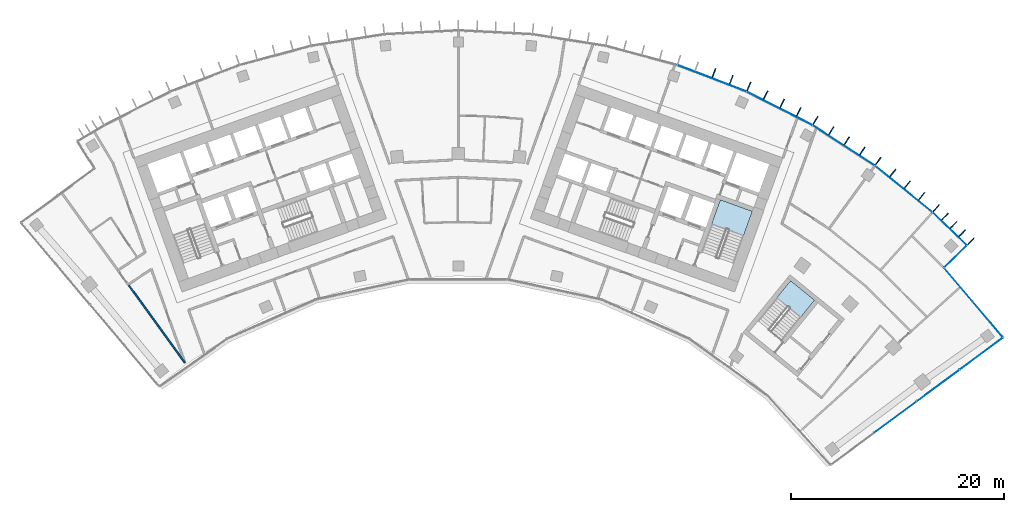
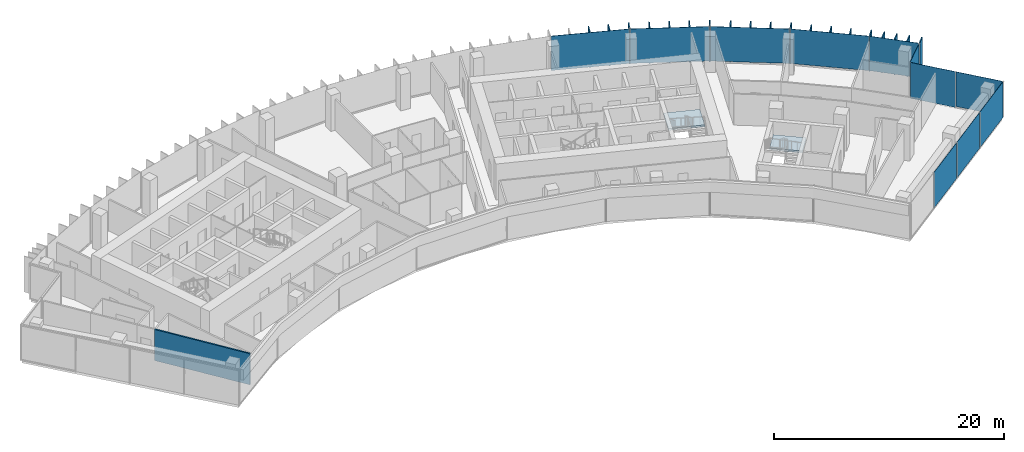
# One storey, part 11 of 19: 30 plates, 2 slabs, 1 wall, 6 elements without a shape of their own.
"""IFC4 building model written with IfcOpenShell, lengths in metres."""

from ifc_helpers import new_model, si_unit, direction, frame, frame_2d, origin, origin_2d, place, context, subcontext, project, spatial, polyline, rectangle, outline, extrude, material, layer, layer_set, type_object, element, aggregate, save


model = new_model("IFC4")

# Units and contexts
model_context = context("Model", 3, precision=1e-05, world=origin(), true_north=direction((0.0, 1.0)))
body_context = subcontext(model_context, "Body", "Model", "MODEL_VIEW")
ifc_project = project(units=[si_unit("LENGTHUNIT", "METRE"), si_unit("AREAUNIT", "SQUARE_METRE"), si_unit("VOLUMEUNIT", "CUBIC_METRE"), si_unit("PLANEANGLEUNIT", "RADIAN"), si_unit("MASSUNIT", "GRAM", prefix="KILO")], contexts=[model_context])

# Site, building, storey
site_placement = place(None, origin())
site = spatial("IfcSite", under=ifc_project, at=site_placement, CompositionType="ELEMENT")
building_placement = place(site_placement, origin())
building = spatial("IfcBuilding", under=site, at=building_placement, Name="Stone Belt Terrace Tower", CompositionType="ELEMENT")
storey_placement = place(building_placement, frame((0.0, 0.0, 246.60009765625)))
storey = spatial("IfcBuildingStorey", under=building, at=storey_placement, Name="L60", CompositionType="ELEMENT", Elevation=246.60009765625)

# Curtain wall, plates
ifc_material_1 = material(Name="Aluminium 6063-T6 anodised frame", Category="aluminium")
ifc_layer_1 = layer(ifc_material_1, 0.14990234375)
ifc_layer_set_1 = layer_set([ifc_layer_1], Name="CW-A unitised convex-face curtain wall")
curtain_wall_type_1 = type_object("IfcCurtainWallType", Name="CW-A unitised convex-face curtain wall", PredefinedType="NOTDEFINED", material=ifc_layer_set_1)
curtain_wall_1_placement = place(storey_placement, origin())
curtain_wall_1 = element("IfcCurtainWall", 1, at=curtain_wall_1_placement, inside=storey, type_object=curtain_wall_type_1, Name="CW-A convex face L60", PredefinedType="NOTDEFINED")
ifc_material_2 = material(Name="Clear double glazed unit")
ifc_layer_2 = layer(ifc_material_2, 0.031982421875)
ifc_layer_set_2 = layer_set([ifc_layer_2], Name="CW-A glass panel 32")
plate_type_1 = type_object("IfcPlateType", Name="CW-A glass panel 32", PredefinedType="CURTAIN_PANEL", material=ifc_layer_set_2)
plate_1_placement = place(storey_placement, frame((46.14599609375, 47.936767578125, 0.14013671875), z_axis=(0.0, 0.0, 1.0), x_axis=(-0.720604393579, 0.693346455933, 0.0)))
plate_1 = element("IfcPlate", 2, at=plate_1_placement, type_object=plate_type_1, Name="CW-A panel 1.1", PredefinedType="CURTAIN_PANEL", context=body_context, shape_type="SweptSolid", body=[
    extrude(rectangle(XDim=4.372314453125, YDim=0.031982421875, at=origin_2d()), origin(), (0.0, 0.0, 1.0), 3.659912109375),
])
plate_2_placement = place(storey_placement, frame((41.839599609375, 51.667724609375, 0.14013671875), z_axis=(0.0, 0.0, 1.0), x_axis=(-0.777145961457, 0.62932039105, 0.0)))
plate_2 = element("IfcPlate", 3, at=plate_2_placement, type_object=plate_type_1, Name="CW-A panel 2.1", PredefinedType="CURTAIN_PANEL", context=body_context, shape_type="SweptSolid", body=[
    extrude(rectangle(XDim=6.90087890625, YDim=0.031982421875, at=origin_2d()), origin(), (0.0, 0.0, 1.0), 3.659912109375),
])
plate_3_placement = place(storey_placement, frame((36.209716796875, 55.758056640625, 0.14013671875), z_axis=(0.0, 0.0, 1.0), x_axis=(-0.838670567945, 0.544639035015, 0.0)))
plate_3 = element("IfcPlate", 4, at=plate_3_placement, type_object=plate_type_1, Name="CW-A panel 3.1", PredefinedType="CURTAIN_PANEL", context=body_context, shape_type="SweptSolid", body=[
    extrude(rectangle(XDim=6.90087890625, YDim=0.031982421875, at=origin_2d()), origin(), (0.0, 0.0, 1.0), 3.659912109375),
])
plate_4_placement = place(storey_placement, frame((30.18310546875, 59.237548828125, 0.14013671875), z_axis=(0.0, 0.0, 1.0), x_axis=(-0.891006524188, 0.45399049974, 0.0)))
plate_4 = element("IfcPlate", 5, at=plate_4_placement, type_object=plate_type_1, Name="CW-A panel 4.1", PredefinedType="CURTAIN_PANEL", context=body_context, shape_type="SweptSolid", body=[
    extrude(rectangle(XDim=6.90087890625, YDim=0.031982421875, at=origin_2d()), origin(), (0.0, 0.0, 1.0), 3.659912109375),
])
plate_5_placement = place(storey_placement, frame((23.82568359375, 62.068115234375, 0.14013671875), z_axis=(0.0, 0.0, 1.0), x_axis=(-0.933580426497, 0.358367949545, 0.0)))
plate_5 = element("IfcPlate", 6, at=plate_5_placement, type_object=plate_type_1, Name="CW-A panel 5.1", PredefinedType="CURTAIN_PANEL", context=body_context, shape_type="SweptSolid", body=[
    extrude(rectangle(XDim=6.90087890625, YDim=0.031982421875, at=origin_2d()), origin(), (0.0, 0.0, 1.0), 3.659912109375),
])
aggregate(curtain_wall_1, [plate_1, plate_2, plate_3, plate_4, plate_5])

ifc_layer_3 = layer(ifc_material_1, 0.14990234375)
ifc_layer_set_3 = layer_set([ifc_layer_3], Name="CW-C stick curtain wall, horn ends and notches")
curtain_wall_type_2 = type_object("IfcCurtainWallType", Name="CW-C stick curtain wall, horn ends and notches", PredefinedType="NOTDEFINED", material=ifc_layer_set_3)
curtain_wall_2_placement = place(storey_placement, origin())
curtain_wall_2 = element("IfcCurtainWall", 7, at=curtain_wall_2_placement, inside=storey, type_object=curtain_wall_type_2, Name="CW-C end face L60", PredefinedType="NOTDEFINED")
ifc_layer_4 = layer(ifc_material_2, 0.028076171875)
ifc_layer_set_4 = layer_set([ifc_layer_4], Name="CW-C glass panel 28")
plate_type_2 = type_object("IfcPlateType", Name="CW-C glass panel 28", PredefinedType="CURTAIN_PANEL", material=ifc_layer_set_4)
plate_6_placement = place(storey_placement, frame((41.0654296875, 30.2431640625, 0.0), z_axis=(0.0, 0.0, 1.0), x_axis=(0.804329077539, 0.594184091865, 0.0)))
plate_6 = element("IfcPlate", 8, at=plate_6_placement, type_object=plate_type_2, Name="CW-C panel 2.1", PredefinedType="CURTAIN_PANEL", context=body_context, shape_type="SweptSolid", body=[
    extrude(rectangle(XDim=4.93994140625, YDim=0.028076171875, at=origin_2d()), origin(), (0.0, 0.0, 1.0), 3.800048828125),
])
plate_7_placement = place(storey_placement, frame((45.0869140625, 33.2138671875, 0.0), z_axis=(0.0, 0.0, 1.0), x_axis=(0.804329077539, 0.594184091865, 0.0)))
plate_7 = element("IfcPlate", 9, at=plate_7_placement, type_object=plate_type_2, Name="CW-C panel 3.1", PredefinedType="CURTAIN_PANEL", context=body_context, shape_type="SweptSolid", body=[
    extrude(rectangle(XDim=4.93994140625, YDim=0.028076171875, at=origin_2d()), origin(), (0.0, 0.0, 1.0), 3.800048828125),
])
plate_8_placement = place(storey_placement, frame((49.122802734375, 36.1953125, 0.0), z_axis=(0.0, 0.0, 1.0), x_axis=(0.804329077539, 0.594184091865, 0.0)))
plate_8 = element("IfcPlate", 10, at=plate_8_placement, type_object=plate_type_2, Name="CW-C panel 4.1", PredefinedType="CURTAIN_PANEL", context=body_context, shape_type="SweptSolid", body=[
    extrude(rectangle(XDim=4.974853515625, YDim=0.028076171875, at=origin_2d()), origin(), (0.0, 0.0, 1.0), 3.800048828125),
])
aggregate(curtain_wall_2, [plate_6, plate_7, plate_8])

curtain_wall_3_placement = place(storey_placement, origin())
curtain_wall_3 = element("IfcCurtainWall", 11, at=curtain_wall_3_placement, inside=storey, type_object=curtain_wall_type_2, Name="CW-C notch face L60", PredefinedType="NOTDEFINED")
plate_9_placement = place(storey_placement, frame((49.75390625, 39.402587890625, 0.1201171875), z_axis=(0.0, 0.0, 1.0), x_axis=(-0.647210945735, 0.762310954743, 0.0)))
plate_9 = element("IfcPlate", 12, at=plate_9_placement, type_object=plate_type_2, Name="CW-C panel 1.1", PredefinedType="CURTAIN_PANEL", context=body_context, shape_type="SweptSolid", body=[
    extrude(rectangle(XDim=4.268798828125, YDim=0.028076171875, at=origin_2d()), origin(), (0.0, 0.0, 1.0), 3.679931640625),
])
plate_10_placement = place(storey_placement, frame((47.000244140625, 42.645751953125, 0.0), z_axis=(0.0, 0.0, 1.0), x_axis=(-0.647210945735, 0.762310954743, 0.0)))
plate_10 = element("IfcPlate", 13, at=plate_10_placement, type_object=plate_type_2, Name="CW-C panel 2.1", PredefinedType="CURTAIN_PANEL", context=body_context, shape_type="SweptSolid", body=[
    extrude(rectangle(XDim=4.12060546875, YDim=0.028076171875, at=origin_2d()), origin(), (0.0, 0.0, 1.0), 3.800048828125),
])
aggregate(curtain_wall_3, [plate_9, plate_10])

# Curtain wall, plate
curtain_wall_4_placement = place(storey_placement, origin())
curtain_wall_4 = element("IfcCurtainWall", 14, at=curtain_wall_4_placement, inside=storey, type_object=curtain_wall_type_2, Name="CW-C notch face L60", PredefinedType="NOTDEFINED")
plate_11_placement = place(storey_placement, frame((46.69677734375, 45.320068359375, 0.1201171875), z_axis=(0.0, 0.0, 1.0), x_axis=(0.71680345276, 0.697275275707, 0.0)))
plate_11 = element("IfcPlate", 15, at=plate_11_placement, type_object=plate_type_2, Name="CW-C panel 1.1", PredefinedType="CURTAIN_PANEL", context=body_context, shape_type="SweptSolid", body=[
    extrude(rectangle(XDim=2.859619140625, YDim=0.028076171875, at=origin_2d()), origin(), (0.0, 0.0, 1.0), 3.679931640625),
])
aggregate(curtain_wall_4, [plate_11])

# Stair, slab
ifc_material_3 = material(Name="Concrete B40", Category="concrete")
stair_type = type_object("IfcStairType", Name="Exit stair 1500", PredefinedType="HALF_TURN_STAIR", material=ifc_material_3)
stair_1_placement = place(storey_placement, origin())
stair_1 = element("IfcStair", 16, at=stair_1_placement, inside=storey, type_object=stair_type, Name="L60 Exit stair 1 core B", PredefinedType="HALF_TURN_STAIR")
ifc_layer_5 = layer(ifc_material_3, 0.199951171875)
ifc_layer_set_5 = layer_set([ifc_layer_5], Name="Stair landing 200")
slab_type = type_object("IfcSlabType", Name="Stair landing 200", PredefinedType="LANDING", material=ifc_layer_set_5)
slab_1_placement = place(storey_placement, frame((0.0, 0.0, 1.699951171875)))
slab_1 = element("IfcSlab", 17, at=slab_1_placement, type_object=slab_type, Name="ST1B landing 1", PredefinedType="LANDING", context=body_context, shape_type="SweptSolid", body=[
    extrude(outline(polyline([(26.806396484375, 47.3173828125), (27.619384765625, 49.576171875), (24.6083984375, 50.659912109375), (23.79541015625, 48.40087890625), (26.806396484375, 47.3173828125)])), origin(), (0.0, 0.0, 1.0), 0.199951171875),
])
aggregate(stair_1, [slab_1])

stair_2_placement = place(storey_placement, origin())
stair_2 = element("IfcStair", 18, at=stair_2_placement, inside=storey, type_object=stair_type, Name="L60 Exit stair 3B", PredefinedType="HALF_TURN_STAIR")
slab_2_placement = place(storey_placement, frame((0.0, 0.0, 1.699951171875)))
slab_2 = element("IfcSlab", 19, at=slab_2_placement, type_object=slab_type, Name="ST3B landing 1", PredefinedType="LANDING", context=body_context, shape_type="SweptSolid", body=[
    extrude(outline(polyline([(32.17138671875, 39.635986328125), (33.4638671875, 41.228271484375), (31.21240234375, 43.055908203125), (29.919921875, 41.463623046875), (32.17138671875, 39.635986328125)])), origin(), (0.0, 0.0, 1.0), 0.199951171875),
])
aggregate(stair_2, [slab_2])

# Plates
ifc_material_4 = material(Name="Terracotta coloured glazed ceramic", Category="masonry")
ifc_layer_6 = layer(ifc_material_4, 0.10009765625)
ifc_layer_set_6 = layer_set([ifc_layer_6], Name="Terracotta fin 100 x 900")
plate_type_3 = type_object("IfcPlateType", Name="Terracotta fin 100 x 900", PredefinedType="SHEET", material=ifc_layer_set_6)
for number, where, z_axis, x_axis, name in (
    (20, (48.139404296875, 46.747314453125, 0.0), (0.0, 0.0, 1.0), (0.693346455933, 0.720604393579, 0.0), "FIN L60 1.1"),
    (21, (47.332275390625, 47.52392578125, 0.0), (0.0, 0.0, 1.0), (0.693346455933, 0.720604393579, 0.0), "FIN L60 1.2"),
    (22, (46.525146484375, 48.300537109375, 0.0), (0.0, 0.0, 1.0), (0.693346455933, 0.720604393579, 0.0), "FIN L60 1.3"),
    (23, (45.718017578125, 49.0771484375, 0.0), (0.0, 0.0, 1.0), (0.693346455933, 0.720604393579, 0.0), "FIN L60 1.4"),
    (24, (44.894287109375, 49.868896484375, 0.0), (0.0, 0.0, 1.0), (0.661937409618, 0.749559114245, 0.0), "FIN L60 2.1"),
    (25, (43.5234375, 50.979736328125, 0.0), (0.0, 0.0, 1.0), (0.62932039105, 0.777145961457, 0.0), "FIN L60 2.2"),
    (26, (42.169677734375, 52.075927734375, 0.0), (0.0, 0.0, 1.0), (0.62932039105, 0.777145961457, 0.0), "FIN L60 2.3"),
    (27, (40.81591796875, 53.172119140625, 0.0), (0.0, 0.0, 1.0), (0.62932039105, 0.777145961457, 0.0), "FIN L60 2.4"),
    (28, (39.4404296875, 54.28515625, 0.0), (0.0, 0.0, 1.0), (0.587785252292, 0.809016994375, 0.0), "FIN L60 3.1"),
    (29, (37.956787109375, 55.24951171875, 0.0), (0.0, 0.0, 1.0), (0.544639035015, 0.838670567945, 0.0), "FIN L60 3.2"),
    (30, (36.49560546875, 56.1982421875, 0.0), (0.0, 0.0, 1.0), (0.544639035015, 0.838670567945, 0.0), "FIN L60 3.3"),
    (31, (35.03466796875, 57.147216796875, 0.0), (0.0, 0.0, 1.0), (0.544639035015, 0.838670567945, 0.0), "FIN L60 3.4"),
    (32, (33.550048828125, 58.1103515625, 0.0), (0.0, 0.0, 1.0), (0.5, 0.866025403784, 0.0), "FIN L60 4.1"),
    (33, (31.9736328125, 58.914306640625, 0.0), (0.0, 0.0, 1.0), (0.45399049974, 0.891006524188, 0.0), "FIN L60 4.2"),
    (34, (30.42138671875, 59.705322265625, 0.0), (0.0, 0.0, 1.0), (0.45399049974, 0.891006524188, 0.0), "FIN L60 4.3"),
    (35, (28.869140625, 60.496337890625, 0.0), (0.0, 0.0, 1.0), (0.45399049974, 0.891006524188, 0.0), "FIN L60 4.4"),
    (36, (27.2919921875, 61.299072265625, 0.0), (0.0, 0.0, 1.0), (0.406736643076, 0.913545457643, 0.0), "FIN L60 5.1"),
    (37, (25.64013671875, 61.933837890625, 0.0), (0.0, 0.0, 1.0), (0.358367949545, 0.933580426497, 0.0), "FIN L60 5.2"),
    (38, (24.013916015625, 62.55810546875, 0.0), (0.0, 0.0, 1.0), (0.358367949545, 0.933580426497, 0.0), "FIN L60 5.3"),
):
    element("IfcPlate", number, at=place(storey_placement, frame(where, z_axis=z_axis, x_axis=x_axis)), inside=storey, type_object=plate_type_3, Name=name, PredefinedType="SHEET", context=body_context, shape_type="SweptSolid", body=[
        extrude(rectangle(XDim=0.89990234375, YDim=0.10009765625, at=origin_2d()), origin(), (0.0, 0.0, 1.0), 3.800048828125),
    ])

# Wall
ifc_material_5 = material(Name="Gypsum board partition")
ifc_layer_7 = layer(ifc_material_5, 0.14990234375)
ifc_layer_set_7 = layer_set([ifc_layer_7], Name="PARTITION 150 EI 60")
wall_type = type_object("IfcWallType", Name="PARTITION 150 EI 60", PredefinedType="PARTITIONING", material=ifc_layer_set_7)
wall_placement = place(storey_placement, frame((-31.02392578125, 42.699951171875, 0.0), z_axis=(0.0, 0.0, 1.0), x_axis=(0.587853093218, -0.808967700711, 0.0)))
element("IfcWall", 39, at=wall_placement, inside=storey, type_object=wall_type, Name="L60/wall/i036", PredefinedType="PARTITIONING", context=body_context, shape_type="SweptSolid", body=[
    extrude(rectangle(XDim=9.068359375, YDim=0.14990234375, at=frame_2d((4.5341796875, 0.0))), origin(), (0.0, 0.0, 1.0), 3.2998046875),
])

save(model, "model.ifc")
